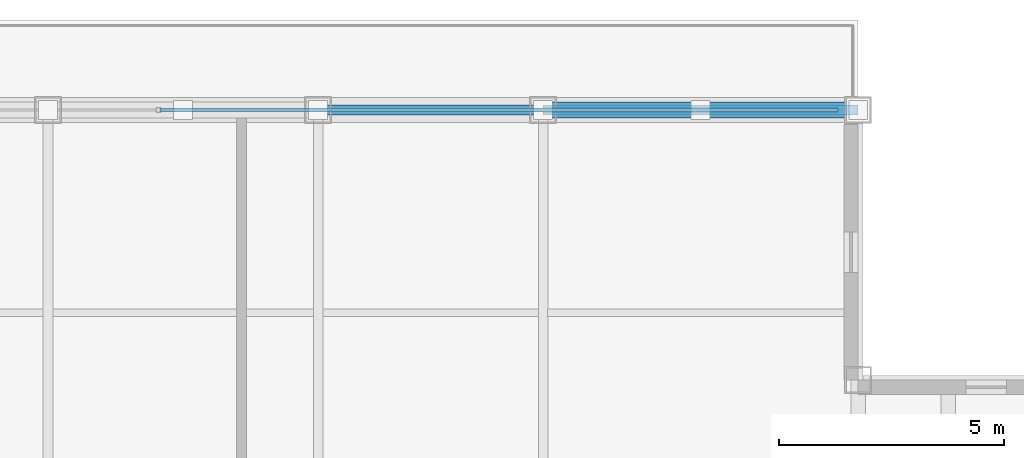
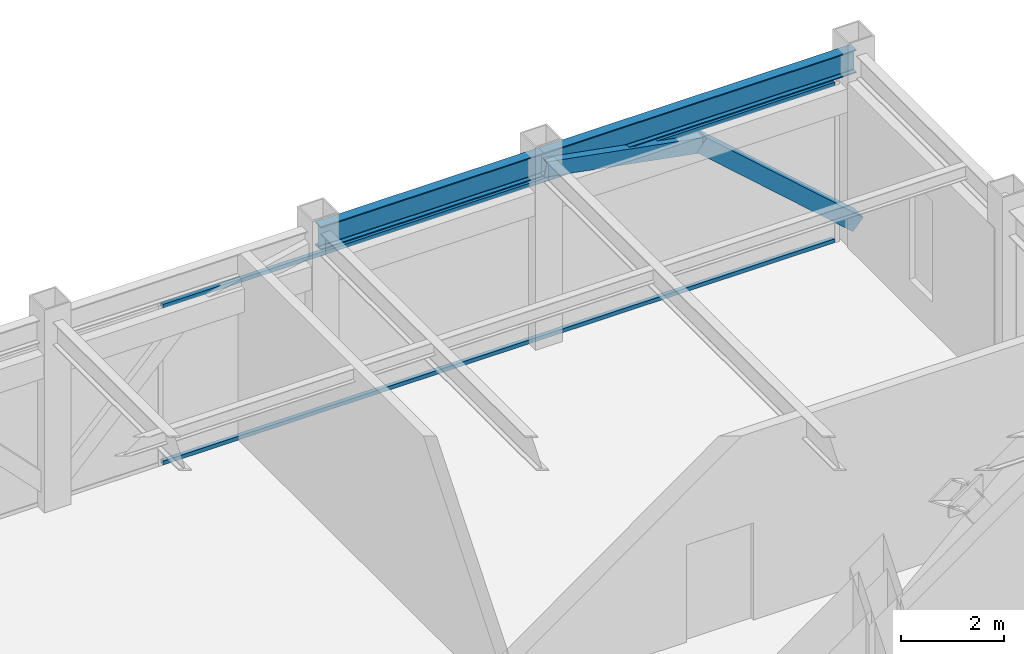
# One storey, part 21 of 32: 4 members, 2 beams, 1 element without a shape of its own.
"""IFC4 building model written with IfcOpenShell, lengths in metres."""

from ifc_helpers import new_model, si_unit, direction, frame, origin, origin_2d, place, context, subcontext, project, spatial, hollow_rectangle, i_section, extrude, source, transform, mapped, material, material_profile, profile_set, type_object, element, aggregate, save


model = new_model("IFC4")

# Units and contexts
model_context = context("Model", 3, precision=1e-05, world=origin(), true_north=direction((0.0, 1.0)))
body_context = subcontext(model_context, "Body", "Model", "MODEL_VIEW")
ifc_project = project(units=[si_unit("LENGTHUNIT", "METRE"), si_unit("AREAUNIT", "SQUARE_METRE"), si_unit("VOLUMEUNIT", "CUBIC_METRE"), si_unit("PLANEANGLEUNIT", "RADIAN"), si_unit("MASSUNIT", "GRAM", prefix="KILO")], contexts=[model_context])

# Site, building, storey
site_placement = place(None, origin())
site = spatial("IfcSite", under=ifc_project, at=site_placement, CompositionType="ELEMENT")
building_placement = place(site_placement, origin())
building = spatial("IfcBuilding", under=site, at=building_placement, Name="Khorayat Bourse Tower", CompositionType="ELEMENT")
storey_placement = place(building_placement, frame((0.0, 0.0, 375.5)))
storey = spatial("IfcBuildingStorey", under=building, at=storey_placement, Name="L89", CompositionType="ELEMENT", Elevation=375.5)

# Beams
ifc_material_1 = material(Name="Steel ASTM A992 Grade 50", Category="steel")
ifc_material_profile_1 = material_profile(ifc_material_1, i_section(OverallWidth=0.214111328125, OverallDepth=0.549072265625, WebThickness=0.0146484375, FlangeThickness=0.023681640625, FilletRadius=0.013916015625, at=origin_2d()), Name="W530X138")
ifc_profile_set_1 = profile_set([ifc_material_profile_1], Name="Steel ASTM A992 Grade 50")
beam_type = type_object("IfcBeamType", Name="BM-SPAN-530", PredefinedType="SPANDREL", material=ifc_profile_set_1)
shared_shape_1 = source(origin(), body_context, "Body", "SweptSolid", [
    extrude(i_section(OverallWidth=0.214111328125, OverallDepth=0.549072265625, WebThickness=0.0146484375, FlangeThickness=0.023681640625, FilletRadius=0.013916015625, at=origin_2d()), origin(), (0.0, 0.0, 1.0), 5.0),
])
beam_1_placement = place(storey_placement, frame((6.0, 24.0, 4.175537109375), z_axis=(1.0, 0.0, 0.0), x_axis=(0.0, 1.0, 0.0)))
element("IfcBeam", 1, at=beam_1_placement, inside=storey, type_object=beam_type, Name="L89 BM-SPAN-530 BM-L89-SPN-041", PredefinedType="SPANDREL", context=body_context, shape_type="MappedRepresentation", body=[
    mapped(shared_shape_1, transform((0.0, 0.0, 0.0), scale=1.0)),
])
shared_shape_2 = source(origin(), body_context, "Body", "SweptSolid", [
    extrude(i_section(OverallWidth=0.214111328125, OverallDepth=0.549072265625, WebThickness=0.0146484375, FlangeThickness=0.023681640625, FilletRadius=0.013916015625, at=origin_2d()), origin(), (0.0, 0.0, 1.0), 7.0),
])
beam_2_placement = place(storey_placement, frame((11.0, 24.0, 4.175537109375), z_axis=(1.0, 0.0, 0.0), x_axis=(0.0, 1.0, 0.0)))
element("IfcBeam", 2, at=beam_2_placement, inside=storey, type_object=beam_type, Name="L89 BM-SPAN-530 BM-L89-SPN-040", PredefinedType="SPANDREL", context=body_context, shape_type="MappedRepresentation", body=[
    mapped(shared_shape_2, transform((0.0, 0.0, 0.0), scale=1.0)),
])

# Members
ifc_material_2 = material(Name="Steel EN 10025-2 S355J2", Category="steel")
ifc_material_profile_2 = material_profile(ifc_material_2, hollow_rectangle(XDim=0.35009765625, YDim=0.35009765625, WallThickness=0.02001953125, at=origin_2d()), Name="HSS 350x350x20")
ifc_profile_set_2 = profile_set([ifc_material_profile_2], Name="Steel EN 10025-2 S355J2")
member_type_1 = type_object("IfcMemberType", Name="MBR-CROWN-350", PredefinedType="USERDEFINED", material=ifc_profile_set_2)
shared_shape_3 = source(origin(), body_context, "Body", "SweptSolid", [
    extrude(hollow_rectangle(XDim=0.35009765625, YDim=0.35009765625, WallThickness=0.02001953125, at=origin_2d()), origin(), (0.0, 0.0, 1.0), 3.559814453125),
])
member_1_placement = place(storey_placement, frame((11.0, 24.0, 4.10009765625), z_axis=(0.983181348138, 0.0, -0.18263197057), x_axis=(0.0, 1.0, 0.0)))
element("IfcMember", 3, at=member_1_placement, inside=storey, type_object=member_type_1, Name="L89 Lantern Crown Frame Member 11", ObjectType="CROWN FRAME", PredefinedType="USERDEFINED", context=body_context, shape_type="MappedRepresentation", body=[
    mapped(shared_shape_3, transform((0.0, 0.0, 0.0), scale=1.0)),
])
shared_shape_4 = source(origin(), body_context, "Body", "SweptSolid", [
    extrude(hollow_rectangle(XDim=0.35009765625, YDim=0.35009765625, WallThickness=0.02001953125, at=origin_2d()), origin(), (0.0, 0.0, 1.0), 4.67529296875),
])
member_2_placement = place(storey_placement, frame((14.5, 24.0, 3.449951171875), z_axis=(0.748603730842, 0.0, -0.663017687675), x_axis=(0.0, 1.0, 0.0)))
element("IfcMember", 4, at=member_2_placement, inside=storey, type_object=member_type_1, Name="L89 Lantern Crown Frame Member 12", ObjectType="CROWN FRAME", PredefinedType="USERDEFINED", context=body_context, shape_type="MappedRepresentation", body=[
    mapped(shared_shape_4, transform((0.0, 0.0, 0.0), scale=1.0)),
])

# Curtain wall, members
ifc_material_3 = material(Name="Aluminium EN AW-6063 T6", Category="aluminium")
curtain_wall_type = type_object("IfcCurtainWallType", Name="CW-SYS-07", PredefinedType="NOTDEFINED", material=ifc_material_3)
curtain_wall_placement = place(storey_placement, origin())
curtain_wall = element("IfcCurtainWall", 5, at=curtain_wall_placement, inside=storey, type_object=curtain_wall_type, Name="L89 Curtain Wall CW-L89-N2", PredefinedType="NOTDEFINED")
ifc_material_profile_3 = material_profile(ifc_material_3, hollow_rectangle(XDim=0.090087890625, YDim=0.090087890625, WallThickness=0.00390625, at=origin_2d()), Name="ALU 90x90x4")
ifc_profile_set_3 = profile_set([ifc_material_profile_3], Name="Aluminium EN AW-6063 T6")
member_type_2 = type_object("IfcMemberType", Name="CWT-HORZ-90", PredefinedType="USERDEFINED", material=ifc_profile_set_3)
shared_shape_5 = source(origin(), body_context, "Body", "SweptSolid", [
    extrude(hollow_rectangle(XDim=0.090087890625, YDim=0.090087890625, WallThickness=0.00390625, at=origin_2d()), origin(), (0.0, 0.0, 1.0), 15.050048828125),
])
member_3_placement = place(storey_placement, frame((2.5, 24.0, 0.044921875), z_axis=(1.0, 0.0, 0.0), x_axis=(0.0, 1.0, 0.0)))
member_3 = element("IfcMember", 6, at=member_3_placement, type_object=member_type_2, Name="CW-L89-N2 Horizontal Transom 2-1", ObjectType="TRANSOM", PredefinedType="USERDEFINED", context=body_context, shape_type="MappedRepresentation", body=[
    mapped(shared_shape_5, transform((0.0, 0.0, 0.0), scale=1.0)),
])
member_4_placement = place(storey_placement, frame((2.5, 24.0, 3.7548828125), z_axis=(1.0, 0.0, 0.0), x_axis=(0.0, 1.0, 0.0)))
member_4 = element("IfcMember", 7, at=member_4_placement, type_object=member_type_2, Name="CW-L89-N2 Horizontal Transom 2-2", ObjectType="TRANSOM", PredefinedType="USERDEFINED", context=body_context, shape_type="MappedRepresentation", body=[
    mapped(shared_shape_5, transform((0.0, 0.0, 0.0), scale=1.0)),
])
aggregate(curtain_wall, [member_3, member_4])

save(model, "model.ifc")
